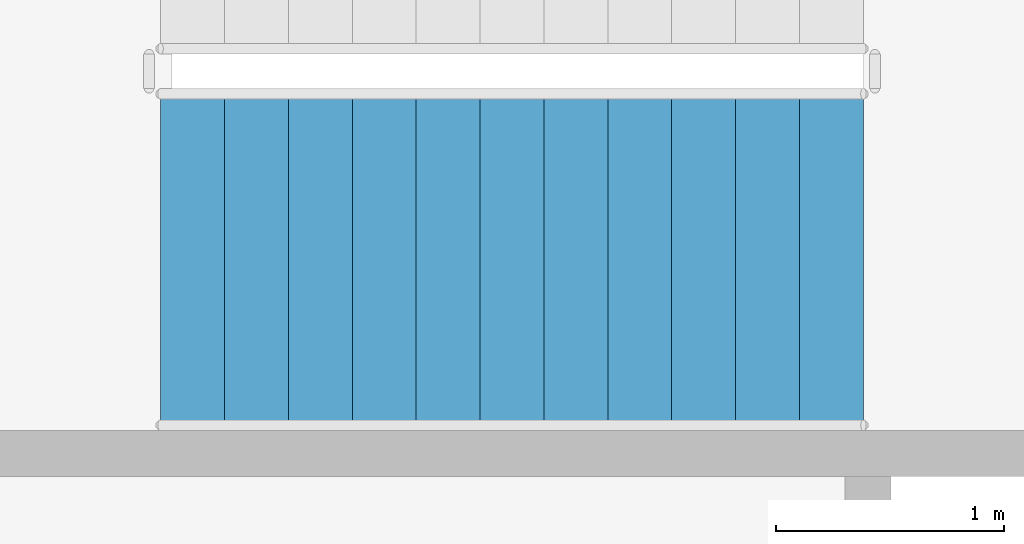
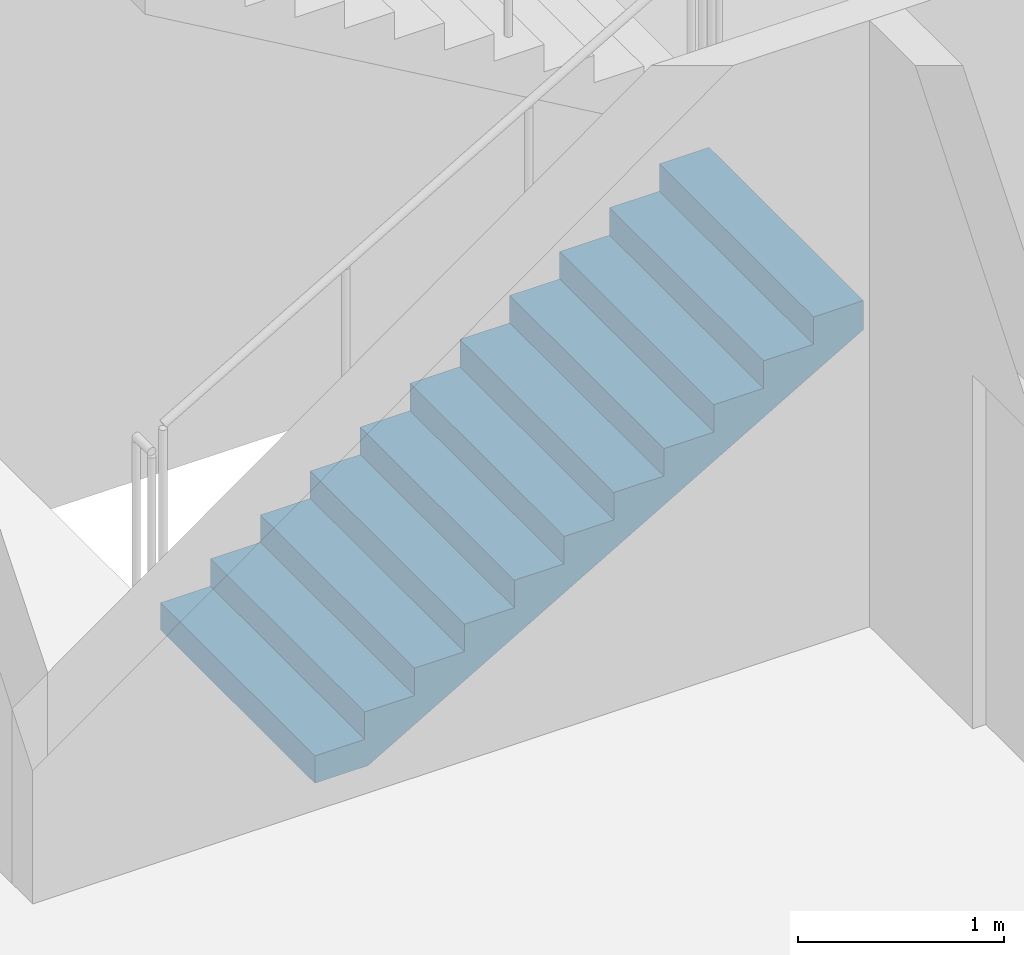
# One storey, part 81 of 95: 1 stair flight, 1 element without a shape of its own.
"""IFC4 building model written with IfcOpenShell, lengths in metres."""

import ifcopenshell
import ifcopenshell.guid

model = None  # the IFC model being written
_history = None  # IfcOwnerHistory: only IFC2X3 demands one
_inside = {}  # id of a spatial element -> (the spatial element, [elements in it])
_under = {}  # id of a project, library or spatial element -> (it, [spatial elements below it])
_declared = {}  # id of a project -> (the project, [libraries it declares])
_typed = {}  # id of a type object -> (the type object, [elements of that type])
_made_of = {}  # id of a material, layer set ... -> (it, [elements and type objects made of it])


def new_model(schema):
    """Start an empty IFC model of exactly this schema.

    Asked for "IFC4X3", IfcOpenShell would pick the latest addendum, in which some entities
    have other attributes; the version numbers below select the first issue.
    IFC2X3 requires an IfcOwnerHistory on every rooted entity: one is made here for all.
    """
    global model, _history
    if schema == "IFC4X3":
        model = ifcopenshell.file(schema_version=(4, 3, 0, 0))
    else:
        model = ifcopenshell.file(schema=schema)
    _inside.clear()
    _under.clear()
    _declared.clear()
    _typed.clear()
    _made_of.clear()
    _history = None
    if model.schema == "IFC2X3":
        org = make("IfcOrganization", Name="unknown")
        user = make(
            "IfcPersonAndOrganization",
            ThePerson=make("IfcPerson", FamilyName="unknown"),
            TheOrganization=org,
        )
        app = make(
            "IfcApplication",
            ApplicationDeveloper=org,
            Version="unknown",
            ApplicationFullName="unknown",
            ApplicationIdentifier="unknown",
        )
        _history = make(
            "IfcOwnerHistory",
            OwningUser=user,
            OwningApplication=app,
            ChangeAction="ADDED",
            CreationDate=0,
        )
    return model


def make(cls, **values):
    """One entity of the class cls with the attributes given. An attribute that is None is left unset."""
    return model.create_entity(
        cls, **{name: value for name, value in values.items() if value is not None}
    )


def rooted(cls, **values):
    """An entity with a GlobalId (a new one), such as an element, a storey or a relation."""
    return make(cls, GlobalId=ifcopenshell.guid.new(), OwnerHistory=_history, **values)


def si_unit(unit_type, name, prefix=None):
    """IfcSIUnit, for example si_unit("LENGTHUNIT", "METRE", prefix="MILLI")."""
    return make("IfcSIUnit", UnitType=unit_type, Prefix=prefix, Name=name)


def assignment(units):
    """IfcUnitAssignment: the units of a project."""
    return None if units is None else make("IfcUnitAssignment", Units=units)


def point(xyz):
    """IfcCartesianPoint."""
    return None if xyz is None else make("IfcCartesianPoint", Coordinates=xyz)


def direction(xyz):
    """IfcDirection."""
    return None if xyz is None else make("IfcDirection", DirectionRatios=xyz)


def frame(location, z_axis=None, x_axis=None):
    """IfcAxis2Placement3D, a coordinate frame: its origin and axes. An axis left out is left unset."""
    return make(
        "IfcAxis2Placement3D",
        Location=point(location),
        Axis=direction(z_axis),
        RefDirection=direction(x_axis),
    )


def origin():
    """The frame at (0, 0, 0) with its axes left unset."""
    return frame((0.0, 0.0, 0.0))


def place(relative_to, where):
    """IfcLocalPlacement: puts the frame where relative to a parent placement (None: the world)."""
    return make(
        "IfcLocalPlacement", PlacementRelTo=relative_to, RelativePlacement=where
    )


def context(
    kind, dimensions, precision=None, world=None, true_north=None, identifier=None
):
    """IfcGeometricRepresentationContext, for example the 3D "Model" context."""
    return make(
        "IfcGeometricRepresentationContext",
        ContextIdentifier=identifier,
        ContextType=kind,
        CoordinateSpaceDimension=dimensions,
        Precision=precision,
        WorldCoordinateSystem=world,
        TrueNorth=true_north,
    )


def subcontext(parent, identifier, kind, view, scale=None):
    """IfcGeometricRepresentationSubContext, for example "Body" below "Model"."""
    return make(
        "IfcGeometricRepresentationSubContext",
        ContextIdentifier=identifier,
        ContextType=kind,
        ParentContext=parent,
        TargetScale=scale,
        TargetView=view,
    )


def project(units=None, contexts=None):
    """IfcProject with its units and contexts."""
    return rooted(
        "IfcProject",
        Name="project",
        RepresentationContexts=contexts,
        UnitsInContext=assignment(units),
    )


def spatial(cls, under=None, at=None, **own):
    """A site, building, storey or space (cls), placed at a placement, below another one or the project."""
    s = rooted(cls, ObjectPlacement=at, **own)
    if under is not None:
        _under.setdefault(under.id(), (under, []))[1].append(s)
    return s


def point_list(points):
    """IfcCartesianPointList2D or 3D."""
    cls = (
        "IfcCartesianPointList2D" if len(points[0]) == 2 else "IfcCartesianPointList3D"
    )
    return make(cls, CoordList=points)


def triangles(points, corners, closed=None, point_numbers=None):
    """IfcTriangulatedFaceSet: each triangle names its three corners, points numbered from 1."""
    return make(
        "IfcTriangulatedFaceSet",
        Coordinates=point_list(points),
        Closed=closed,
        CoordIndex=corners,
        PnIndex=point_numbers,
    )


def shape(context_of_items, identifier, shape_type, items):
    """IfcShapeRepresentation: the items that make up one representation, for example the "Body"."""
    return make(
        "IfcShapeRepresentation",
        ContextOfItems=context_of_items,
        RepresentationIdentifier=identifier,
        RepresentationType=shape_type,
        Items=items,
    )


def material(Name=None, Category=None):
    """IfcMaterial."""
    return make("IfcMaterial", Name=Name, Category=Category)


def made_of(thing, what):
    """Note that an element or type object is made of a material, layer set ...; save() writes the relation."""
    if what is not None:
        _made_of.setdefault(what.id(), (what, []))[1].append(thing)
    return thing


def type_object(cls, material=None, **own):
    """A type object (cls), such as IfcWallType, which elements share."""
    return made_of(rooted(cls, **own), material)


def element(
    cls,
    number,
    at=None,
    inside=None,
    cuts=None,
    type_object=None,
    material=None,
    context=None,
    identifier="Body",
    shape_type=None,
    held_by="IfcProductDefinitionShape",
    body=None,
    shapes=None,
    **own,
):
    """One element of the class cls, such as IfcWall. Its Tag is "e" and its number.

    at: its placement. inside: the storey or other place that contains it. cuts: it is an
    opening in that element (IfcRelVoidsElement). A single representation is given by context,
    identifier, shape_type and body (its items); several are given by shapes. held_by: the class
    of the entity that holds the representations. save() writes the other relations.
    """
    e = rooted(cls, Tag="e%d" % number, ObjectPlacement=at, **own)
    if body is not None:
        shapes = [shape(context, identifier, shape_type, body)]
    if shapes is not None:
        e.Representation = make(held_by, Representations=shapes)
    if inside is not None:
        _inside.setdefault(inside.id(), (inside, []))[1].append(e)
    if cuts is not None:
        rooted(
            "IfcRelVoidsElement", RelatingBuildingElement=cuts, RelatedOpeningElement=e
        )
    if type_object is not None:
        _typed.setdefault(type_object.id(), (type_object, []))[1].append(e)
    return made_of(e, material)


def aggregate(whole, parts):
    """IfcRelAggregates: a whole, such as a stair, and the parts it consists of."""
    return rooted("IfcRelAggregates", RelatingObject=whole, RelatedObjects=parts)


def save(model, path):
    """Write the relations noted so far, then the file.

    IfcRelAggregates (storeys below a building ...), IfcRelContainedInSpatialStructure (elements
    in a storey), IfcRelDefinesByType, IfcRelAssociatesMaterial and IfcRelDeclares: one each for
    every whole, place, type object, material and project.
    """
    for whole, parts in _under.values():
        aggregate(whole, parts)
    for where, things in _inside.values():
        rooted(
            "IfcRelContainedInSpatialStructure",
            RelatedElements=things,
            RelatingStructure=where,
        )
    for kind, things in _typed.values():
        rooted("IfcRelDefinesByType", RelatedObjects=things, RelatingType=kind)
    for what, things in _made_of.values():
        rooted("IfcRelAssociatesMaterial", RelatedObjects=things, RelatingMaterial=what)
    for by, libraries in _declared.values():
        rooted("IfcRelDeclares", RelatingContext=by, RelatedDefinitions=libraries)
    model.write(path)


model = new_model("IFC4")

# Units and contexts
model_context = context("Model", 3, precision=1e-05, world=origin(), true_north=direction((0.0, 1.0)))
body_context = subcontext(model_context, "Body", "Model", "MODEL_VIEW")
ifc_project = project(units=[si_unit("LENGTHUNIT", "METRE"), si_unit("AREAUNIT", "SQUARE_METRE"), si_unit("VOLUMEUNIT", "CUBIC_METRE"), si_unit("PLANEANGLEUNIT", "RADIAN"), si_unit("MASSUNIT", "GRAM", prefix="KILO")], contexts=[model_context])

# Site, building, storey
site_placement = place(None, origin())
site = spatial("IfcSite", under=ifc_project, at=site_placement, CompositionType="ELEMENT")
building_placement = place(site_placement, origin())
building = spatial("IfcBuilding", under=site, at=building_placement, Name="Magnolia Steps Interchange", CompositionType="ELEMENT")
storey_placement = place(building_placement, frame((0.0, 0.0, 4.800048828125)))
storey = spatial("IfcBuildingStorey", under=building, at=storey_placement, Name="L01", CompositionType="ELEMENT", Elevation=4.800048828125)

# Stair, stair flight
ifc_material_1 = material(Name="Concrete C40", Category="concrete")
stair_type = type_object("IfcStairType", Name="Exit stair 1500", PredefinedType="HALF_TURN_STAIR", material=ifc_material_1)
stair_placement = place(storey_placement, origin())
stair = element("IfcStair", 1, at=stair_placement, inside=storey, type_object=stair_type, Name="L01 Stair 3", PredefinedType="HALF_TURN_STAIR")
ifc_material_2 = material(Name="Concrete C40", Category="concrete")
stair_flight_type = type_object("IfcStairFlightType", Name="Exit stair flight", PredefinedType="STRAIGHT", material=ifc_material_2)
stair_flight_placement = place(storey_placement, frame((112.199951171875, 82.699951171875, 0.0), z_axis=(0.0, 0.0, 1.0), x_axis=(1.0, 0.0, 0.0)))
stair_flight = element("IfcStairFlight", 2, at=stair_flight_placement, type_object=stair_flight_type, Name="Stair 3 flight 1", NumberOfRisers=12, NumberOfTreads=11, PredefinedType="STRAIGHT", RiserHeight=0.1625, TreadLength=0.28, context=body_context, shape_type="Tessellation", body=[
    triangles([(0.0, -0.75, 0.0), (0.298583984375, -0.75, 0.0), (3.080078125, -0.75, 1.6142578125), (3.080078125, -0.75, 1.78759765625), (2.800048828125, -0.75, 1.78759765625), (2.800048828125, -0.75, 1.625), (2.52001953125, -0.75, 1.625), (2.52001953125, -0.75, 1.46240234375), (2.239990234375, -0.75, 1.46240234375), (2.239990234375, -0.75, 1.300048828125), (1.9599609375, -0.75, 1.300048828125), (1.9599609375, -0.75, 1.137451171875), (1.679931640625, -0.75, 1.137451171875), (1.679931640625, -0.75, 0.97509765625), (1.39990234375, -0.75, 0.97509765625), (1.39990234375, -0.75, 0.8125), (1.1201171875, -0.75, 0.8125), (1.1201171875, -0.75, 0.64990234375), (0.840087890625, -0.75, 0.64990234375), (0.840087890625, -0.75, 0.487548828125), (0.56005859375, -0.75, 0.487548828125), (0.56005859375, -0.75, 0.324951171875), (0.280029296875, -0.75, 0.324951171875), (0.280029296875, -0.75, 0.16259765625), (0.0, -0.75, 0.16259765625), (0.0, 0.75, 0.0), (0.298583984375, 0.75, 0.0), (3.080078125, 0.75, 1.6142578125), (3.080078125, 0.75, 1.78759765625), (2.800048828125, 0.75, 1.78759765625), (2.800048828125, 0.75, 1.625), (2.52001953125, 0.75, 1.625), (2.52001953125, 0.75, 1.46240234375), (2.239990234375, 0.75, 1.46240234375), (2.239990234375, 0.75, 1.300048828125), (1.9599609375, 0.75, 1.300048828125), (1.9599609375, 0.75, 1.137451171875), (1.679931640625, 0.75, 1.137451171875), (1.679931640625, 0.75, 0.97509765625), (1.39990234375, 0.75, 0.97509765625), (1.39990234375, 0.75, 0.8125), (1.1201171875, 0.75, 0.8125), (1.1201171875, 0.75, 0.64990234375), (0.840087890625, 0.75, 0.64990234375), (0.840087890625, 0.75, 0.487548828125), (0.56005859375, 0.75, 0.487548828125), (0.56005859375, 0.75, 0.324951171875), (0.280029296875, 0.75, 0.324951171875), (0.280029296875, 0.75, 0.16259765625), (0.0, 0.75, 0.16259765625), (0.0, 0.0, 0.0), (0.0, 0.0, 0.0406494140625), (0.0, 0.0, 0.081298828125), (0.0, 0.0, 0.1219482421875), (0.0, 0.0, 0.16259765625), (0.0, -0.05, 0.0), (0.0, -0.05, 0.16259765625), (0.0, 0.05, 0.0), (0.0, 0.05, 0.16259765625), (0.046671549479166664, 0.0, 0.16259765625), (0.09334309895833333, 0.0, 0.16259765625), (0.1400146484375, 0.0, 0.16259765625), (0.18668619791666666, 0.0, 0.16259765625), (0.23335774739583334, 0.0, 0.16259765625), (0.280029296875, 0.0, 0.16259765625), (0.280029296875, -0.05, 0.16259765625), (0.280029296875, 0.05, 0.16259765625), (0.280029296875, 0.0, 0.20318603515625), (0.280029296875, 0.0, 0.2437744140625), (0.280029296875, 0.0, 0.28436279296875), (0.280029296875, 0.0, 0.324951171875), (0.280029296875, -0.05, 0.324951171875), (0.280029296875, 0.05, 0.324951171875), (0.3267008463541667, 0.0, 0.324951171875), (0.3733723958333333, 0.0, 0.324951171875), (0.4200439453125, 0.0, 0.324951171875), (0.46671549479166663, 0.0, 0.324951171875), (0.5133870442708334, 0.0, 0.324951171875), (0.56005859375, 0.0, 0.324951171875), (0.56005859375, -0.05, 0.324951171875), (0.56005859375, 0.05, 0.324951171875), (0.56005859375, 0.0, 0.3656005859375), (0.56005859375, 0.0, 0.40625), (0.56005859375, 0.0, 0.4468994140625), (0.56005859375, 0.0, 0.487548828125), (0.56005859375, -0.05, 0.487548828125), (0.56005859375, 0.05, 0.487548828125), (0.6067301432291666, 0.0, 0.487548828125), (0.6534016927083334, 0.0, 0.487548828125), (0.7000732421875, 0.0, 0.487548828125), (0.7467447916666666, 0.0, 0.487548828125), (0.7934163411458334, 0.0, 0.487548828125), (0.840087890625, 0.0, 0.487548828125), (0.840087890625, -0.05, 0.487548828125), (0.840087890625, 0.05, 0.487548828125), (0.840087890625, 0.0, 0.52813720703125), (0.840087890625, 0.0, 0.5687255859375), (0.840087890625, 0.0, 0.60931396484375), (0.840087890625, 0.0, 0.64990234375), (0.840087890625, -0.05, 0.64990234375), (0.840087890625, 0.05, 0.64990234375), (0.8867594401041666, 0.0, 0.64990234375), (0.9334309895833334, 0.0, 0.64990234375), (0.9801025390625, 0.0, 0.64990234375), (1.0267740885416667, 0.0, 0.64990234375), (1.0734456380208333, 0.0, 0.64990234375), (1.1201171875, 0.0, 0.64990234375), (1.1201171875, -0.05, 0.64990234375), (1.1201171875, 0.05, 0.64990234375), (1.1201171875, 0.0, 0.6905517578125), (1.1201171875, 0.0, 0.731201171875), (1.1201171875, 0.0, 0.7718505859375), (1.1201171875, 0.0, 0.8125), (1.1201171875, -0.05, 0.8125), (1.1201171875, 0.05, 0.8125), (1.1900634765625, 0.0, 0.8125), (1.260009765625, 0.0, 0.8125), (1.3299560546875, 0.0, 0.8125), (1.39990234375, 0.0, 0.8125), (1.39990234375, -0.05, 0.8125), (1.39990234375, 0.05, 0.8125), (1.39990234375, 0.0, 0.8531494140625), (1.39990234375, 0.0, 0.893798828125), (1.39990234375, 0.0, 0.9344482421875), (1.39990234375, 0.0, 0.97509765625), (1.39990234375, -0.05, 0.97509765625), (1.39990234375, 0.05, 0.97509765625), (1.4465738932291667, 0.0, 0.97509765625), (1.4932454427083333, 0.0, 0.97509765625), (1.5399169921875, 0.0, 0.97509765625), (1.5865885416666667, 0.0, 0.97509765625), (1.6332600911458333, 0.0, 0.97509765625), (1.679931640625, 0.0, 0.97509765625), (1.679931640625, -0.05, 0.97509765625), (1.679931640625, 0.05, 0.97509765625), (1.679931640625, 0.0, 1.01568603515625), (1.679931640625, 0.0, 1.0562744140625), (1.679931640625, 0.0, 1.09686279296875), (1.679931640625, 0.0, 1.137451171875), (1.679931640625, -0.05, 1.137451171875), (1.679931640625, 0.05, 1.137451171875), (1.7266031901041667, 0.0, 1.137451171875), (1.7732747395833333, 0.0, 1.137451171875), (1.8199462890625, 0.0, 1.137451171875), (1.8666178385416667, 0.0, 1.137451171875), (1.9132893880208333, 0.0, 1.137451171875), (1.9599609375, 0.0, 1.137451171875), (1.9599609375, -0.05, 1.137451171875), (1.9599609375, 0.05, 1.137451171875), (1.9599609375, 0.0, 1.1781005859375), (1.9599609375, 0.0, 1.21875), (1.9599609375, 0.0, 1.2593994140625), (1.9599609375, 0.0, 1.300048828125), (1.9599609375, -0.05, 1.300048828125), (1.9599609375, 0.05, 1.300048828125), (2.0066324869791665, 0.0, 1.300048828125), (2.0533040364583335, 0.0, 1.300048828125), (2.0999755859375, 0.0, 1.300048828125), (2.1466471354166665, 0.0, 1.300048828125), (2.1933186848958335, 0.0, 1.300048828125), (2.239990234375, 0.0, 1.300048828125), (2.239990234375, -0.05, 1.300048828125), (2.239990234375, 0.05, 1.300048828125), (2.239990234375, 0.0, 1.34063720703125), (2.239990234375, 0.0, 1.3812255859375), (2.239990234375, 0.0, 1.42181396484375), (2.239990234375, 0.0, 1.46240234375), (2.239990234375, -0.05, 1.46240234375), (2.239990234375, 0.05, 1.46240234375), (2.2866617838541665, 0.0, 1.46240234375), (2.3333333333333335, 0.0, 1.46240234375), (2.3800048828125, 0.0, 1.46240234375), (2.4266764322916665, 0.0, 1.46240234375), (2.4733479817708335, 0.0, 1.46240234375), (2.52001953125, 0.0, 1.46240234375), (2.52001953125, -0.05, 1.46240234375), (2.52001953125, 0.05, 1.46240234375), (2.52001953125, 0.0, 1.5030517578125), (2.52001953125, 0.0, 1.543701171875), (2.52001953125, 0.0, 1.5843505859375), (2.52001953125, 0.0, 1.625), (2.52001953125, -0.05, 1.625), (2.52001953125, 0.05, 1.625), (2.5666910807291665, 0.0, 1.625), (2.6133626302083335, 0.0, 1.625), (2.6600341796875, 0.0, 1.625), (2.7067057291666665, 0.0, 1.625), (2.7533772786458335, 0.0, 1.625), (2.800048828125, 0.0, 1.625), (2.800048828125, -0.05, 1.625), (2.800048828125, 0.05, 1.625), (2.800048828125, 0.0, 1.6656494140625), (2.800048828125, 0.0, 1.706298828125), (2.800048828125, 0.0, 1.7469482421875), (2.800048828125, 0.0, 1.78759765625), (2.800048828125, -0.05, 1.78759765625), (2.800048828125, 0.05, 1.78759765625), (2.8467203776041665, 0.0, 1.78759765625), (2.8933919270833335, 0.0, 1.78759765625), (2.9400634765625, 0.0, 1.78759765625), (2.9867350260416665, 0.0, 1.78759765625), (3.0334065755208335, 0.0, 1.78759765625), (3.080078125, 0.0, 1.78759765625), (3.080078125, -0.05, 1.78759765625), (3.080078125, 0.05, 1.78759765625), (3.080078125, 0.0, 1.7442626953125), (3.080078125, 0.0, 1.700927734375), (3.080078125, 0.0, 1.6575927734375), (3.080078125, 0.0, 1.6142578125), (3.080078125, -0.05, 1.6142578125), (3.080078125, 0.05, 1.6142578125), (3.0196108610733696, 0.0, 1.5791652513586956), (2.9591435971467392, 0.0, 1.5440726902173914), (2.898676333220109, 0.0, 1.508980129076087), (2.8382090692934785, 0.0, 1.4738875679347827), (2.7777418053668477, 0.0, 1.4387950067934783), (2.7172745414402173, 0.0, 1.4037024456521738), (2.656807277513587, 0.0, 1.3686098845108696), (2.5963400135869565, 0.0, 1.3335173233695652), (2.535872749660326, 0.0, 1.2984247622282608), (2.475405485733696, 0.0, 1.2633322010869565), (2.4149382218070654, 0.0, 1.228239639945652), (2.3544709578804346, 0.0, 1.193147078804348), (2.294003693953804, 0.0, 1.1580545176630435), (2.233536430027174, 0.0, 1.1229619565217392), (2.1730691661005435, 0.0, 1.0878693953804348), (2.112601902173913, 0.0, 1.0527768342391304), (2.0521346382472827, 0.0, 1.0176842730978262), (1.991667374320652, 0.0, 0.9825917119565217), (1.9312001103940217, 0.0, 0.9474991508152174), (1.8707328464673914, 0.0, 0.9124065896739131), (1.810265582540761, 0.0, 0.8773140285326086), (1.7497983186141304, 0.0, 0.8422214673913043), (1.6893310546875, 0.0, 0.80712890625), (1.6288637907608696, 0.0, 0.7720363451086957), (1.568396526834239, 0.0, 0.7369437839673914), (1.5079292629076086, 0.0, 0.7018512228260869), (1.4474619989809783, 0.0, 0.6667586616847826), (1.386994735054348, 0.0, 0.6316661005434783), (1.3265274711277173, 0.0, 0.5965735394021738), (1.266060207201087, 0.0, 0.5614809782608696), (1.2055929432744565, 0.0, 0.5263884171195652), (1.1451256793478262, 0.0, 0.491295855978261), (1.0846584154211956, 0.0, 0.45620329483695654), (1.0241911514945654, 0.0, 0.4211107336956521), (0.9637238875679346, 0.0, 0.3860181725543479), (0.9032566236413042, 0.0, 0.35092561141304346), (0.8427893597146738, 0.0, 0.315833050271739), (0.7823220957880435, 0.0, 0.2807404891304348), (0.7218548318614131, 0.0, 0.24564792798913038), (0.6613875679347827, 0.0, 0.21055536684782616), (0.6009203040081523, 0.0, 0.17546280570652173), (0.540453040081522, 0.0, 0.1403702445652173), (0.47998577615489113, 0.0, 0.10527768342391308), (0.41951851222826075, 0.0, 0.07018512228260865), (0.3590512483016304, 0.0, 0.035092561141304435), (0.298583984375, 0.0, 0.0), (0.298583984375, -0.05, 0.0), (0.298583984375, 0.05, 0.0), (0.24881998697916666, 0.0, 0.0), (0.19905598958333331, 0.0, 0.0), (0.1492919921875, 0.0, 0.0), (0.09952799479166666, 0.0, 0.0), (0.04976399739583334, 0.0, 0.0)], [[1, 2, 3], [3, 4, 5], [3, 5, 6], [3, 6, 7], [3, 7, 8], [8, 9, 10], [3, 8, 10], [10, 11, 12], [3, 10, 12], [12, 13, 14], [3, 12, 14], [14, 15, 16], [3, 14, 16], [16, 17, 18], [3, 16, 18], [18, 19, 20], [3, 18, 20], [20, 21, 22], [3, 20, 22], [1, 3, 22], [22, 23, 24], [1, 22, 24], [24, 25, 1], [26, 28, 27], [28, 30, 29], [28, 31, 30], [28, 32, 31], [28, 33, 32], [33, 35, 34], [28, 35, 33], [35, 37, 36], [28, 37, 35], [37, 39, 38], [28, 39, 37], [39, 41, 40], [28, 41, 39], [41, 43, 42], [28, 43, 41], [43, 45, 44], [28, 45, 43], [45, 47, 46], [28, 47, 45], [26, 47, 28], [47, 49, 48], [26, 49, 47], [49, 26, 50], [1, 25, 57], [1, 57, 56], [56, 52, 51], [56, 53, 52], [56, 57, 53], [57, 54, 53], [57, 55, 54], [26, 59, 50], [26, 58, 59], [58, 51, 52], [58, 52, 53], [58, 53, 59], [59, 53, 54], [59, 54, 55], [25, 24, 66], [25, 66, 57], [57, 60, 55], [57, 61, 60], [57, 62, 61], [57, 66, 62], [66, 63, 62], [66, 64, 63], [66, 65, 64], [50, 67, 49], [50, 59, 67], [59, 55, 60], [59, 60, 61], [59, 61, 62], [59, 62, 67], [67, 62, 63], [67, 63, 64], [67, 64, 65], [24, 23, 72], [24, 72, 66], [66, 68, 65], [66, 69, 68], [66, 72, 69], [72, 70, 69], [72, 71, 70], [49, 73, 48], [49, 67, 73], [67, 65, 68], [67, 68, 69], [67, 69, 73], [73, 69, 70], [73, 70, 71], [23, 22, 80], [23, 80, 72], [72, 74, 71], [72, 75, 74], [72, 76, 75], [72, 80, 76], [80, 77, 76], [80, 78, 77], [80, 79, 78], [48, 81, 47], [48, 73, 81], [73, 71, 74], [73, 74, 75], [73, 75, 76], [73, 76, 81], [81, 76, 77], [81, 77, 78], [81, 78, 79], [22, 21, 86], [22, 86, 80], [80, 82, 79], [80, 83, 82], [80, 86, 83], [86, 84, 83], [86, 85, 84], [47, 87, 46], [47, 81, 87], [81, 79, 82], [81, 82, 83], [81, 83, 87], [87, 83, 84], [87, 84, 85], [21, 20, 94], [21, 94, 86], [86, 88, 85], [86, 89, 88], [86, 90, 89], [86, 94, 90], [94, 91, 90], [94, 92, 91], [94, 93, 92], [46, 95, 45], [46, 87, 95], [87, 85, 88], [87, 88, 89], [87, 89, 90], [87, 90, 95], [95, 90, 91], [95, 91, 92], [95, 92, 93], [20, 19, 100], [20, 100, 94], [94, 96, 93], [94, 97, 96], [94, 100, 97], [100, 98, 97], [100, 99, 98], [45, 101, 44], [45, 95, 101], [95, 93, 96], [95, 96, 97], [95, 97, 101], [101, 97, 98], [101, 98, 99], [19, 18, 108], [19, 108, 100], [100, 102, 99], [100, 103, 102], [100, 104, 103], [100, 108, 104], [108, 105, 104], [108, 106, 105], [108, 107, 106], [44, 109, 43], [44, 101, 109], [101, 99, 102], [101, 102, 103], [101, 103, 104], [101, 104, 109], [109, 104, 105], [109, 105, 106], [109, 106, 107], [18, 17, 114], [18, 114, 108], [108, 110, 107], [108, 111, 110], [108, 114, 111], [114, 112, 111], [114, 113, 112], [43, 115, 42], [43, 109, 115], [109, 107, 110], [109, 110, 111], [109, 111, 115], [115, 111, 112], [115, 112, 113], [17, 16, 120], [17, 120, 114], [114, 116, 113], [114, 117, 116], [114, 120, 117], [120, 118, 117], [120, 119, 118], [42, 121, 41], [42, 115, 121], [115, 113, 116], [115, 116, 117], [115, 117, 121], [121, 117, 118], [121, 118, 119], [16, 15, 126], [16, 126, 120], [120, 122, 119], [120, 123, 122], [120, 126, 123], [126, 124, 123], [126, 125, 124], [41, 127, 40], [41, 121, 127], [121, 119, 122], [121, 122, 123], [121, 123, 127], [127, 123, 124], [127, 124, 125], [15, 14, 134], [15, 134, 126], [126, 128, 125], [126, 129, 128], [126, 130, 129], [126, 134, 130], [134, 131, 130], [134, 132, 131], [134, 133, 132], [40, 135, 39], [40, 127, 135], [127, 125, 128], [127, 128, 129], [127, 129, 130], [127, 130, 135], [135, 130, 131], [135, 131, 132], [135, 132, 133], [14, 13, 140], [14, 140, 134], [134, 136, 133], [134, 137, 136], [134, 140, 137], [140, 138, 137], [140, 139, 138], [39, 141, 38], [39, 135, 141], [135, 133, 136], [135, 136, 137], [135, 137, 141], [141, 137, 138], [141, 138, 139], [13, 12, 148], [13, 148, 140], [140, 142, 139], [140, 143, 142], [140, 144, 143], [140, 148, 144], [148, 145, 144], [148, 146, 145], [148, 147, 146], [38, 149, 37], [38, 141, 149], [141, 139, 142], [141, 142, 143], [141, 143, 144], [141, 144, 149], [149, 144, 145], [149, 145, 146], [149, 146, 147], [12, 11, 154], [12, 154, 148], [148, 150, 147], [148, 151, 150], [148, 154, 151], [154, 152, 151], [154, 153, 152], [37, 155, 36], [37, 149, 155], [149, 147, 150], [149, 150, 151], [149, 151, 155], [155, 151, 152], [155, 152, 153], [11, 10, 162], [11, 162, 154], [154, 156, 153], [154, 157, 156], [154, 158, 157], [154, 162, 158], [162, 159, 158], [162, 160, 159], [162, 161, 160], [36, 163, 35], [36, 155, 163], [155, 153, 156], [155, 156, 157], [155, 157, 158], [155, 158, 163], [163, 158, 159], [163, 159, 160], [163, 160, 161], [10, 9, 168], [10, 168, 162], [162, 164, 161], [162, 165, 164], [162, 168, 165], [168, 166, 165], [168, 167, 166], [35, 169, 34], [35, 163, 169], [163, 161, 164], [163, 164, 165], [163, 165, 169], [169, 165, 166], [169, 166, 167], [9, 8, 176], [9, 176, 168], [168, 170, 167], [168, 171, 170], [168, 172, 171], [168, 176, 172], [176, 173, 172], [176, 174, 173], [176, 175, 174], [34, 177, 33], [34, 169, 177], [169, 167, 170], [169, 170, 171], [169, 171, 172], [169, 172, 177], [177, 172, 173], [177, 173, 174], [177, 174, 175], [8, 7, 182], [8, 182, 176], [176, 178, 175], [176, 179, 178], [176, 182, 179], [182, 180, 179], [182, 181, 180], [33, 183, 32], [33, 177, 183], [177, 175, 178], [177, 178, 179], [177, 179, 183], [183, 179, 180], [183, 180, 181], [7, 6, 190], [7, 190, 182], [182, 184, 181], [182, 185, 184], [182, 186, 185], [182, 190, 186], [190, 187, 186], [190, 188, 187], [190, 189, 188], [32, 191, 31], [32, 183, 191], [183, 181, 184], [183, 184, 185], [183, 185, 186], [183, 186, 191], [191, 186, 187], [191, 187, 188], [191, 188, 189], [6, 5, 196], [6, 196, 190], [190, 192, 189], [190, 193, 192], [190, 196, 193], [196, 194, 193], [196, 195, 194], [31, 197, 30], [31, 191, 197], [191, 189, 192], [191, 192, 193], [191, 193, 197], [197, 193, 194], [197, 194, 195], [5, 4, 204], [5, 204, 196], [196, 198, 195], [196, 199, 198], [196, 200, 199], [196, 204, 200], [204, 201, 200], [204, 202, 201], [204, 203, 202], [30, 205, 29], [30, 197, 205], [197, 195, 198], [197, 198, 199], [197, 199, 200], [197, 200, 205], [205, 200, 201], [205, 201, 202], [205, 202, 203], [4, 3, 210], [4, 210, 204], [204, 206, 203], [204, 207, 206], [204, 210, 207], [210, 208, 207], [210, 209, 208], [29, 211, 28], [29, 205, 211], [205, 203, 206], [205, 206, 207], [205, 207, 211], [211, 207, 208], [211, 208, 209], [3, 2, 258], [3, 258, 210], [210, 212, 209], [210, 213, 212], [210, 214, 213], [210, 215, 214], [210, 216, 215], [210, 217, 216], [210, 218, 217], [210, 219, 218], [210, 220, 219], [210, 221, 220], [210, 222, 221], [210, 223, 222], [210, 224, 223], [210, 225, 224], [210, 226, 225], [210, 227, 226], [210, 228, 227], [210, 229, 228], [210, 230, 229], [210, 231, 230], [210, 232, 231], [210, 233, 232], [210, 234, 233], [210, 258, 234], [258, 235, 234], [258, 236, 235], [258, 237, 236], [258, 238, 237], [258, 239, 238], [258, 240, 239], [258, 241, 240], [258, 242, 241], [258, 243, 242], [258, 244, 243], [258, 245, 244], [258, 246, 245], [258, 247, 246], [258, 248, 247], [258, 249, 248], [258, 250, 249], [258, 251, 250], [258, 252, 251], [258, 253, 252], [258, 254, 253], [258, 255, 254], [258, 256, 255], [258, 257, 256], [28, 259, 27], [28, 211, 259], [211, 209, 212], [211, 212, 213], [211, 213, 214], [211, 214, 215], [211, 215, 216], [211, 216, 217], [211, 217, 218], [211, 218, 219], [211, 219, 220], [211, 220, 221], [211, 221, 222], [211, 222, 223], [211, 223, 224], [211, 224, 225], [211, 225, 226], [211, 226, 227], [211, 227, 228], [211, 228, 229], [211, 229, 230], [211, 230, 231], [211, 231, 232], [211, 232, 233], [211, 233, 234], [211, 234, 259], [259, 234, 235], [259, 235, 236], [259, 236, 237], [259, 237, 238], [259, 238, 239], [259, 239, 240], [259, 240, 241], [259, 241, 242], [259, 242, 243], [259, 243, 244], [259, 244, 245], [259, 245, 246], [259, 246, 247], [259, 247, 248], [259, 248, 249], [259, 249, 250], [259, 250, 251], [259, 251, 252], [259, 252, 253], [259, 253, 254], [259, 254, 255], [259, 255, 256], [259, 256, 257], [2, 1, 56], [2, 56, 258], [258, 260, 257], [258, 261, 260], [258, 262, 261], [258, 56, 262], [56, 263, 262], [56, 264, 263], [56, 51, 264], [27, 58, 26], [27, 259, 58], [259, 257, 260], [259, 260, 261], [259, 261, 262], [259, 262, 58], [58, 262, 263], [58, 263, 264], [58, 264, 51]], closed=True),
])
aggregate(stair, [stair_flight])

save(model, "model.ifc")
